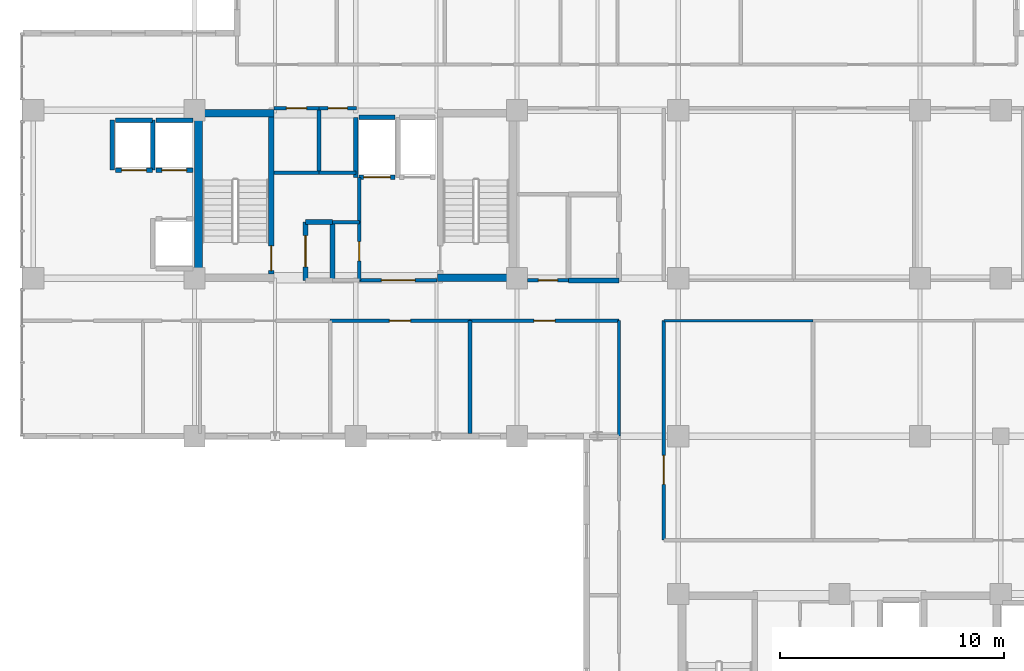
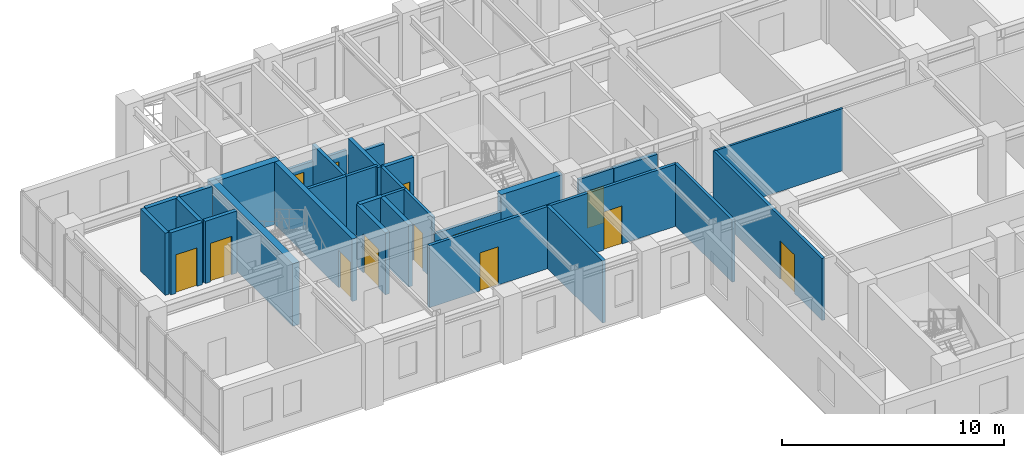
# One storey, part 13 of 20: 33 walls, 13 doors, 13 openings.
"""IFC4 building model written with IfcOpenShell, lengths in metres."""

from ifc_helpers import new_model, si_unit, direction, frame, frame_2d, origin, place, context, subcontext, project, spatial, rectangle, extrude, material, layer, layer_set, type_object, element, fill, save


model = new_model("IFC4")

# Units and contexts
model_context = context("Model", 3, precision=1e-05, world=origin(), true_north=direction((0.0, 1.0)))
body_context = subcontext(model_context, "Body", "Model", "MODEL_VIEW")
ifc_project = project(units=[si_unit("LENGTHUNIT", "METRE"), si_unit("AREAUNIT", "SQUARE_METRE"), si_unit("VOLUMEUNIT", "CUBIC_METRE"), si_unit("PLANEANGLEUNIT", "RADIAN"), si_unit("MASSUNIT", "GRAM", prefix="KILO")], contexts=[model_context])

# Site, building, storey
site_placement = place(None, origin())
site = spatial("IfcSite", under=ifc_project, at=site_placement, CompositionType="ELEMENT")
building_placement = place(site_placement, origin())
building = spatial("IfcBuilding", under=site, at=building_placement, Name="Kaliganga Portal Commons", CompositionType="ELEMENT")
storey_placement = place(building_placement, frame((0.0, 0.0, 231.39990234375)))
storey = spatial("IfcBuildingStorey", under=building, at=storey_placement, Name="L59", CompositionType="ELEMENT", Elevation=231.39990234375)

# Walls
ifc_material_1 = material(Name="Concrete C50/60", Category="concrete")
ifc_layer_1 = layer(ifc_material_1, 0.35009765625)
ifc_layer_set_1 = layer_set([ifc_layer_1], Name="Concrete C50/60")
wall_type_1 = type_object("IfcWallType", Name="WL-CORE-350", PredefinedType="SHEAR", material=ifc_layer_set_1)
wall_1_placement = place(storey_placement, frame((14.574951171875, 28.5, 0.0), z_axis=(0.0, 0.0, 1.0), x_axis=(0.0, 1.0, 0.0)))
element("IfcWall", 1, at=wall_1_placement, inside=storey, type_object=wall_type_1, Name="Core A West Shear Wall L59", PredefinedType="SHEAR", context=body_context, shape_type="SweptSolid", body=[
    extrude(rectangle(XDim=7.699951171875, YDim=0.35009765625, at=frame_2d((3.85009765625, 0.0))), origin(), (0.0, 0.0, 1.0), 3.440185546875),
])
for number, where, z_axis, x_axis, name in (
    (2, (25.25, 28.675048828125, 0.0), (0.0, 0.0, 1.0), (1.0, 0.0, 0.0), "Core A S-East Shear Wall L59"),
    (3, (14.75, 36.02490234375, 0.0), (0.0, 0.0, 1.0), (1.0, 0.0, 0.0), "Core A N-West Shear Wall L59"),
):
    element("IfcWall", number, at=place(storey_placement, frame(where, z_axis=z_axis, x_axis=x_axis)), inside=storey, type_object=wall_type_1, Name=name, PredefinedType="SHEAR", context=body_context, shape_type="SweptSolid", body=[
        extrude(rectangle(XDim=3.199951171875, YDim=0.35009765625, at=frame_2d((1.60009765625, 0.0))), origin(), (0.0, 0.0, 1.0), 3.440185546875),
    ])

# Wall, opening, door
ifc_material_2 = material(Name="Fire-Rated Gypsum Board on Steel Stud", Category="steel")
ifc_layer_2 = layer(ifc_material_2, 0.14990234375)
ifc_layer_set_2 = layer_set([ifc_layer_2], Name="Fire-Rated Gypsum Board on Steel Stud")
wall_type_2 = type_object("IfcWallType", Name="WL-PART-CORR-150", PredefinedType="PARTITIONING", material=ifc_layer_set_2)
wall_2_placement = place(storey_placement, frame((35.360107421875, 16.9599609375, 0.0), z_axis=(0.0, 0.0, 1.0), x_axis=(0.0, 1.0, 0.0)))
wall_2 = element("IfcWall", 4, at=wall_2_placement, inside=storey, type_object=wall_type_2, Name="Interior Partition L59-002", PredefinedType="PARTITIONING", context=body_context, shape_type="SweptSolid", body=[
    extrude(rectangle(XDim=9.800048828125, YDim=0.14990234375, at=frame_2d((4.89990234375, 0.0))), origin(), (0.0, 0.0, 1.0), 3.420166015625),
])
opening_1_placement = place(wall_2_placement, frame((2.486083984375, 0.0, 0.0)))
opening_1 = element("IfcOpeningElement", 5, at=opening_1_placement, cuts=wall_2, Name="Opening RD-03", PredefinedType="OPENING", context=body_context, shape_type="SweptSolid", body=[
    extrude(rectangle(XDim=1.300048828125, YDim=2.1201171875, at=frame_2d((0.64990234375, 1.06005859375))), frame((0.0, 0.0849609375, 0.0), z_axis=(0.0, -1.0, 0.0), x_axis=(1.0, 0.0, 0.0)), (0.0, 0.0, 1.0), 0.169921875),
])
ifc_material_3 = material(Name="Glazed Timber Seminar Vision Door", Category="wood")
door_type_1 = type_object("IfcDoorType", Name="DR-STUDY-1300", OperationType="DOUBLE_DOOR_SINGLE_SWING", PredefinedType="DOOR", material=ifc_material_3)
door_1_placement = place(opening_1_placement, origin())
door_1 = element("IfcDoor", 6, at=door_1_placement, inside=storey, type_object=door_type_1, Name="Interior Door L59-BM01", OperationType="DOUBLE_DOOR_SINGLE_SWING", OverallHeight=2.1201171875, OverallWidth=1.300048828125, PredefinedType="DOOR", context=body_context, shape_type="SweptSolid", body=[
    extrude(rectangle(XDim=1.300048828125, YDim=2.1201171875, at=frame_2d((0.64990234375, 1.06005859375))), frame((0.0, 0.02490234375, 0.0), z_axis=(0.0, -1.0, 0.0), x_axis=(1.0, 0.0, 0.0)), (0.0, 0.0, 1.0), 0.050048828125),
])
fill(opening_1, door_1)

wall_3_placement = place(storey_placement, frame((26.699951171875, 26.760009765625, 0.0), z_axis=(0.0, 0.0, 1.0), x_axis=(1.0, 0.0, 0.0)))
wall_3 = element("IfcWall", 7, at=wall_3_placement, inside=storey, type_object=wall_type_2, Name="Interior Partition L59-010", PredefinedType="PARTITIONING", context=body_context, shape_type="SweptSolid", body=[
    extrude(rectangle(XDim=6.66015625, YDim=0.14990234375, at=frame_2d((3.330078125, 0.0))), origin(), (0.0, 0.0, 1.0), 3.420166015625),
])
opening_2_placement = place(wall_3_placement, frame((2.85498046875, 0.0, 0.0)))
opening_2 = element("IfcOpeningElement", 8, at=opening_2_placement, cuts=wall_3, Name="Opening UD-01", PredefinedType="OPENING", context=body_context, shape_type="SweptSolid", body=[
    extrude(rectangle(XDim=0.949951171875, YDim=2.10009765625, at=frame_2d((0.47509765625, 1.050048828125))), frame((0.0, 0.0849609375, 0.0), z_axis=(0.0, -1.0, 0.0), x_axis=(1.0, 0.0, 0.0)), (0.0, 0.0, 1.0), 0.169921875),
])
ifc_material_4 = material(Name="Solid-Core Timber Acoustic Fire Door", Category="wood")
door_type_2 = type_object("IfcDoorType", Name="DR-UNIT-950", OperationType="NOTDEFINED", PredefinedType="DOOR", material=ifc_material_4)
door_2_placement = place(opening_2_placement, origin())
door_2 = element("IfcDoor", 9, at=door_2_placement, inside=storey, type_object=door_type_2, Name="Interior Door L59-AS05", OperationType="SINGLE_SWING_LEFT", OverallHeight=2.10009765625, OverallWidth=0.949951171875, PredefinedType="DOOR", context=body_context, shape_type="SweptSolid", body=[
    extrude(rectangle(XDim=0.949951171875, YDim=2.10009765625, at=frame_2d((0.47509765625, 1.050048828125))), frame((0.0, 0.02490234375, 0.0), z_axis=(0.0, -1.0, 0.0), x_axis=(1.0, 0.0, 0.0)), (0.0, 0.0, 1.0), 0.050048828125),
])
fill(opening_2, door_2)

wall_4_placement = place(storey_placement, frame((20.4599609375, 26.760009765625, 0.0), z_axis=(0.0, 0.0, 1.0), x_axis=(1.0, 0.0, 0.0)))
wall_4 = element("IfcWall", 10, at=wall_4_placement, inside=storey, type_object=wall_type_2, Name="Interior Partition L59-012", PredefinedType="PARTITIONING", context=body_context, shape_type="SweptSolid", body=[
    extrude(rectangle(XDim=6.239990234375, YDim=0.14990234375, at=frame_2d((3.1201171875, 0.0))), origin(), (0.0, 0.0, 1.0), 3.420166015625),
])
opening_3_placement = place(wall_4_placement, frame((2.64501953125, 0.0, 0.0)))
opening_3 = element("IfcOpeningElement", 11, at=opening_3_placement, cuts=wall_4, Name="Opening UD-01", PredefinedType="OPENING", context=body_context, shape_type="SweptSolid", body=[
    extrude(rectangle(XDim=0.949951171875, YDim=2.10009765625, at=frame_2d((0.47509765625, 1.050048828125))), frame((0.0, 0.0849609375, 0.0), z_axis=(0.0, -1.0, 0.0), x_axis=(1.0, 0.0, 0.0)), (0.0, 0.0, 1.0), 0.169921875),
])
door_3_placement = place(opening_3_placement, origin())
door_3 = element("IfcDoor", 12, at=door_3_placement, inside=storey, type_object=door_type_2, Name="Interior Door L59-AS04", OperationType="SINGLE_SWING_LEFT", OverallHeight=2.10009765625, OverallWidth=0.949951171875, PredefinedType="DOOR", context=body_context, shape_type="SweptSolid", body=[
    extrude(rectangle(XDim=0.949951171875, YDim=2.10009765625, at=frame_2d((0.47509765625, 1.050048828125))), frame((0.0, 0.02490234375, 0.0), z_axis=(0.0, -1.0, 0.0), x_axis=(1.0, 0.0, 0.0)), (0.0, 0.0, 1.0), 0.050048828125),
])
fill(opening_3, door_3)

# Wall
wall_5_placement = place(storey_placement, frame((33.360107421875, 21.60009765625, 0.0), z_axis=(0.0, 0.0, 1.0), x_axis=(0.0, 1.0, 0.0)))
element("IfcWall", 13, at=wall_5_placement, inside=storey, type_object=wall_type_2, Name="Interior Partition L59-019", PredefinedType="PARTITIONING", context=body_context, shape_type="SweptSolid", body=[
    extrude(rectangle(XDim=5.159912109375, YDim=0.14990234375, at=frame_2d((2.580078125, 0.0))), origin(), (0.0, 0.0, 1.0), 3.420166015625),
])

# Wall, opening, door
wall_6_placement = place(storey_placement, frame((21.760009765625, 28.56005859375, 0.0), z_axis=(0.0, 0.0, 1.0), x_axis=(0.0, 1.0, 0.0)))
wall_6 = element("IfcWall", 14, at=wall_6_placement, inside=storey, type_object=wall_type_2, Name="Interior Partition L59-028", PredefinedType="PARTITIONING", context=body_context, shape_type="SweptSolid", body=[
    extrude(rectangle(XDim=2.599853515625, YDim=0.14990234375, at=frame_2d((1.2998046875, 0.0))), origin(), (0.0, 0.0, 1.0), 3.420166015625),
])
opening_4_placement = place(wall_6_placement, frame((0.8701171875, 0.0, 0.0)))
opening_4 = element("IfcOpeningElement", 15, at=opening_4_placement, cuts=wall_6, Name="Opening WD-02", PredefinedType="OPENING", context=body_context, shape_type="SweptSolid", body=[
    extrude(rectangle(XDim=0.860107421875, YDim=2.02001953125, at=frame_2d((0.43017578125, 1.010009765625))), frame((0.0, 0.0849609375, 0.0), z_axis=(0.0, -1.0, 0.0), x_axis=(1.0, 0.0, 0.0)), (0.0, 0.0, 1.0), 0.169921875),
])
ifc_material_5 = material(Name="Fire-Rated Utility Closet Door", Category="wood")
door_type_3 = type_object("IfcDoorType", Name="DR-STORE-800", OperationType="NOTDEFINED", PredefinedType="DOOR", material=ifc_material_5)
door_4_placement = place(opening_4_placement, origin())
door_4 = element("IfcDoor", 16, at=door_4_placement, inside=storey, type_object=door_type_3, Name="Interior Door L59-CIN_A2", OperationType="SINGLE_SWING_LEFT", OverallHeight=2.02001953125, OverallWidth=0.860107421875, PredefinedType="DOOR", context=body_context, shape_type="SweptSolid", body=[
    extrude(rectangle(XDim=0.860107421875, YDim=2.02001953125, at=frame_2d((0.43017578125, 1.010009765625))), frame((0.0, 0.02490234375, 0.0), z_axis=(0.0, -1.0, 0.0), x_axis=(1.0, 0.0, 0.0)), (0.0, 0.0, 1.0), 0.050048828125),
])
fill(opening_4, door_4)

wall_7_placement = place(storey_placement, frame((29.27490234375, 28.56005859375, 0.0), z_axis=(0.0, 0.0, 1.0), x_axis=(1.0, 0.0, 0.0)))
wall_7 = element("IfcWall", 17, at=wall_7_placement, inside=storey, type_object=wall_type_2, Name="Interior Partition L59-034", PredefinedType="PARTITIONING", context=body_context, shape_type="SweptSolid", body=[
    extrude(rectangle(XDim=1.8251953125, YDim=0.14990234375, at=frame_2d((0.91259765625, 0.0))), origin(), (0.0, 0.0, 1.0), 2.8701171875),
])
opening_5_placement = place(wall_7_placement, frame((0.482421875, 0.0, 0.0)))
opening_5 = element("IfcOpeningElement", 18, at=opening_5_placement, cuts=wall_7, Name="Opening WD-02", PredefinedType="OPENING", context=body_context, shape_type="SweptSolid", body=[
    extrude(rectangle(XDim=0.860107421875, YDim=2.02001953125, at=frame_2d((0.43017578125, 1.010009765625))), frame((0.0, 0.0849609375, 0.0), z_axis=(0.0, -1.0, 0.0), x_axis=(1.0, 0.0, 0.0)), (0.0, 0.0, 1.0), 0.169921875),
])
door_5_placement = place(opening_5_placement, origin())
door_5 = element("IfcDoor", 19, at=door_5_placement, inside=storey, type_object=door_type_3, Name="Interior Door L59-CSRV_A1", OperationType="SINGLE_SWING_RIGHT", OverallHeight=2.02001953125, OverallWidth=0.860107421875, PredefinedType="DOOR", context=body_context, shape_type="SweptSolid", body=[
    extrude(rectangle(XDim=0.860107421875, YDim=2.02001953125, at=frame_2d((0.43017578125, 1.010009765625))), frame((0.0, 0.02490234375, 0.0), z_axis=(0.0, -1.0, 0.0), x_axis=(1.0, 0.0, 0.0)), (0.0, 0.0, 1.0), 0.050048828125),
])
fill(opening_5, door_5)

# Wall
wall_8_placement = place(storey_placement, frame((17.9599609375, 33.360107421875, 0.0), z_axis=(0.0, 0.0, 1.0), x_axis=(1.0, 0.0, 0.0)))
element("IfcWall", 20, at=wall_8_placement, inside=storey, type_object=wall_type_2, Name="Interior Partition L59-036", PredefinedType="PARTITIONING", context=body_context, shape_type="SweptSolid", body=[
    extrude(rectangle(XDim=2.0, YDim=0.14990234375, at=frame_2d((1.0, 0.0))), origin(), (0.0, 0.0, 1.0), 3.420166015625),
])

# Wall, opening, door
wall_9_placement = place(storey_placement, frame((17.9599609375, 36.239990234375, 0.0), z_axis=(0.0, 0.0, 1.0), x_axis=(1.0, 0.0, 0.0)))
wall_9 = element("IfcWall", 21, at=wall_9_placement, inside=storey, type_object=wall_type_2, Name="Interior Partition L59-037", PredefinedType="PARTITIONING", context=body_context, shape_type="SweptSolid", body=[
    extrude(rectangle(XDim=2.0, YDim=0.14990234375, at=frame_2d((1.0, 0.0))), origin(), (0.0, 0.0, 1.0), 2.52001953125),
])
opening_6_placement = place(wall_9_placement, frame((0.550048828125, 0.0, 0.0)))
opening_6 = element("IfcOpeningElement", 22, at=opening_6_placement, cuts=wall_9, Name="Opening RD-01", PredefinedType="OPENING", context=body_context, shape_type="SweptSolid", body=[
    extrude(rectangle(XDim=0.89990234375, YDim=2.080078125, at=frame_2d((0.449951171875, 1.0400390625))), frame((0.0, 0.0849609375, 0.0), z_axis=(0.0, -1.0, 0.0), x_axis=(1.0, 0.0, 0.0)), (0.0, 0.0, 1.0), 0.169921875),
])
ifc_material_6 = material(Name="Engineered Timber Flush Door", Category="wood")
door_type_4 = type_object("IfcDoorType", Name="DR-ROOM-900", OperationType="NOTDEFINED", PredefinedType="DOOR", material=ifc_material_6)
door_6_placement = place(opening_6_placement, origin())
door_6 = element("IfcDoor", 23, at=door_6_placement, inside=storey, type_object=door_type_4, Name="Interior Door L59-CREC_A1", OperationType="SINGLE_SWING_LEFT", OverallHeight=2.080078125, OverallWidth=0.89990234375, PredefinedType="DOOR", context=body_context, shape_type="SweptSolid", body=[
    extrude(rectangle(XDim=0.89990234375, YDim=2.080078125, at=frame_2d((0.449951171875, 1.0400390625))), frame((0.0, 0.02490234375, 0.0), z_axis=(0.0, -1.0, 0.0), x_axis=(1.0, 0.0, 0.0)), (0.0, 0.0, 1.0), 0.050048828125),
])
fill(opening_6, door_6)

# Wall
wall_10_placement = place(storey_placement, frame((19.9599609375, 33.360107421875, 0.0), z_axis=(0.0, 0.0, 1.0), x_axis=(1.0, 0.0, 0.0)))
element("IfcWall", 24, at=wall_10_placement, inside=storey, type_object=wall_type_2, Name="Interior Partition L59-039", PredefinedType="PARTITIONING", context=body_context, shape_type="SweptSolid", body=[
    extrude(rectangle(XDim=1.650146484375, YDim=0.14990234375, at=frame_2d((0.8251953125, 0.0))), origin(), (0.0, 0.0, 1.0), 3.420166015625),
])

# Wall, opening, door
wall_11_placement = place(storey_placement, frame((19.9599609375, 36.239990234375, 0.0), z_axis=(0.0, 0.0, 1.0), x_axis=(1.0, 0.0, 0.0)))
wall_11 = element("IfcWall", 25, at=wall_11_placement, inside=storey, type_object=wall_type_2, Name="Interior Partition L59-040", PredefinedType="PARTITIONING", context=body_context, shape_type="SweptSolid", body=[
    extrude(rectangle(XDim=1.679931640625, YDim=0.14990234375, at=frame_2d((0.83984375, 0.0))), origin(), (0.0, 0.0, 1.0), 2.52001953125),
])
opening_7_placement = place(wall_11_placement, frame((0.409912109375, 0.0, 0.0)))
opening_7 = element("IfcOpeningElement", 26, at=opening_7_placement, cuts=wall_11, Name="Opening WD-02", PredefinedType="OPENING", context=body_context, shape_type="SweptSolid", body=[
    extrude(rectangle(XDim=0.860107421875, YDim=2.02001953125, at=frame_2d((0.43017578125, 1.010009765625))), frame((0.0, 0.0849609375, 0.0), z_axis=(0.0, -1.0, 0.0), x_axis=(1.0, 0.0, 0.0)), (0.0, 0.0, 1.0), 0.169921875),
])
door_7_placement = place(opening_7_placement, origin())
door_7 = element("IfcDoor", 27, at=door_7_placement, inside=storey, type_object=door_type_3, Name="Interior Door L59-CREC_A2", OperationType="SINGLE_SWING_LEFT", OverallHeight=2.02001953125, OverallWidth=0.860107421875, PredefinedType="DOOR", context=body_context, shape_type="SweptSolid", body=[
    extrude(rectangle(XDim=0.860107421875, YDim=2.02001953125, at=frame_2d((0.43017578125, 1.010009765625))), frame((0.0, 0.02490234375, 0.0), z_axis=(0.0, -1.0, 0.0), x_axis=(1.0, 0.0, 0.0)), (0.0, 0.0, 1.0), 0.050048828125),
])
fill(opening_7, door_7)

# Wall
wall_12_placement = place(storey_placement, frame((20.56005859375, 31.159912109375, 0.0), z_axis=(0.0, 0.0, 1.0), x_axis=(1.0, 0.0, 0.0)))
element("IfcWall", 28, at=wall_12_placement, inside=storey, type_object=wall_type_2, Name="Interior Partition L59-042", PredefinedType="PARTITIONING", context=body_context, shape_type="SweptSolid", body=[
    extrude(rectangle(XDim=1.199951171875, YDim=0.14990234375, at=frame_2d((0.60009765625, 0.0))), origin(), (0.0, 0.0, 1.0), 3.420166015625),
])

# Wall, opening, door
wall_13_placement = place(storey_placement, frame((21.760009765625, 28.56005859375, 0.0), z_axis=(0.0, 0.0, 1.0), x_axis=(1.0, 0.0, 0.0)))
wall_13 = element("IfcWall", 29, at=wall_13_placement, inside=storey, type_object=wall_type_2, Name="Interior Partition L59-073", PredefinedType="PARTITIONING", context=body_context, shape_type="SweptSolid", body=[
    extrude(rectangle(XDim=3.47998046875, YDim=0.14990234375, at=frame_2d((1.739990234375, 0.0))), origin(), (0.0, 0.0, 1.0), 2.52001953125),
])
opening_8_placement = place(wall_13_placement, frame((0.989990234375, 0.0, 0.0)))
opening_8 = element("IfcOpeningElement", 30, at=opening_8_placement, cuts=wall_13, Name="Opening FD-01", PredefinedType="OPENING", context=body_context, shape_type="SweptSolid", body=[
    extrude(rectangle(XDim=1.5, YDim=2.10009765625, at=frame_2d((0.75, 1.050048828125))), frame((0.0, 0.0849609375, 0.0), z_axis=(0.0, -1.0, 0.0), x_axis=(1.0, 0.0, 0.0)), (0.0, 0.0, 1.0), 0.169921875),
])
ifc_material_7 = material(Name="Fire-Rated Hardwood and Georgian-Wired Vision Panel", Category="wood")
door_type_5 = type_object("IfcDoorType", Name="DR-LOBBY-1500", OperationType="DOUBLE_DOOR_SINGLE_SWING", PredefinedType="DOOR", material=ifc_material_7)
door_8_placement = place(opening_8_placement, origin())
door_8 = element("IfcDoor", 31, at=door_8_placement, inside=storey, type_object=door_type_5, Name="Interior Door L59-FFLOB_A", OperationType="DOUBLE_DOOR_SINGLE_SWING", OverallHeight=2.10009765625, OverallWidth=1.5, PredefinedType="DOOR", context=body_context, shape_type="SweptSolid", body=[
    extrude(rectangle(XDim=1.5, YDim=2.10009765625, at=frame_2d((0.75, 1.050048828125))), frame((0.0, 0.02490234375, 0.0), z_axis=(0.0, -1.0, 0.0), x_axis=(1.0, 0.0, 0.0)), (0.0, 0.0, 1.0), 0.050048828125),
])
fill(opening_8, door_8)

# Wall
wall_14_placement = place(storey_placement, frame((21.760009765625, 31.159912109375, 0.0), z_axis=(0.0, 0.0, 1.0), x_axis=(0.0, 1.0, 0.0)))
element("IfcWall", 32, at=wall_14_placement, inside=storey, type_object=wall_type_2, Name="Interior Partition L59-081", PredefinedType="PARTITIONING", context=body_context, shape_type="SweptSolid", body=[
    extrude(rectangle(XDim=2.0, YDim=0.14990234375, at=frame_2d((1.0, 0.0))), origin(), (0.0, 0.0, 1.0), 3.420166015625),
])

# Wall, opening, door
ifc_material_8 = material(Name="Lightweight blockwork masonry", Category="masonry")
ifc_layer_3 = layer(ifc_material_8, 0.215087890625)
ifc_layer_set_3 = layer_set([ifc_layer_3], Name="Lightweight blockwork masonry")
wall_type_3 = type_object("IfcWallType", Name="WL-PART-PLANT-215", PredefinedType="PARTITIONING", material=ifc_layer_set_3)
wall_15_placement = place(storey_placement, frame((19.360107421875, 28.56005859375, 0.0), z_axis=(0.0, 0.0, 1.0), x_axis=(0.0, 1.0, 0.0)))
wall_15 = element("IfcWall", 33, at=wall_15_placement, inside=storey, type_object=wall_type_3, Name="Interior Partition L59-027", PredefinedType="PARTITIONING", context=body_context, shape_type="SweptSolid", body=[
    extrude(rectangle(XDim=2.599853515625, YDim=0.215087890625, at=frame_2d((1.2998046875, 0.0))), origin(), (0.0, 0.0, 1.0), 3.420166015625),
])
opening_9_placement = place(wall_15_placement, frame((0.60009765625, 0.0, 0.0)))
opening_9 = element("IfcOpeningElement", 34, at=opening_9_placement, cuts=wall_15, Name="Opening PD-01", PredefinedType="OPENING", context=body_context, shape_type="SweptSolid", body=[
    extrude(rectangle(XDim=1.39990234375, YDim=2.14990234375, at=frame_2d((0.699951171875, 1.074951171875))), frame((0.0, 0.11767578125, 0.0), z_axis=(0.0, -1.0, 0.0), x_axis=(1.0, 0.0, 0.0)), (0.0, 0.0, 1.0), 0.235107421875),
])
ifc_material_9 = material(Name="Heavy-Duty Steel Acoustic Louvre Fire Door", Category="steel")
door_type_6 = type_object("IfcDoorType", Name="DR-PLANT-1400", OperationType="DOUBLE_DOOR_SINGLE_SWING", PredefinedType="DOOR", material=ifc_material_9)
door_9_placement = place(opening_9_placement, origin())
door_9 = element("IfcDoor", 35, at=door_9_placement, inside=storey, type_object=door_type_6, Name="Interior Door L59-CIN_A1", OperationType="DOUBLE_DOOR_SINGLE_SWING", OverallHeight=2.14990234375, OverallWidth=1.39990234375, PredefinedType="DOOR", context=body_context, shape_type="SweptSolid", body=[
    extrude(rectangle(XDim=1.39990234375, YDim=2.14990234375, at=frame_2d((0.699951171875, 1.074951171875))), frame((0.0, 0.02490234375, 0.0), z_axis=(0.0, -1.0, 0.0), x_axis=(1.0, 0.0, 0.0)), (0.0, 0.0, 1.0), 0.050048828125),
])
fill(opening_9, door_9)

# Walls
wall_16_placement = place(storey_placement, frame((31.10009765625, 28.56005859375, 0.0), z_axis=(0.0, 0.0, 1.0), x_axis=(1.0, 0.0, 0.0)))
element("IfcWall", 36, at=wall_16_placement, inside=storey, type_object=wall_type_3, Name="Interior Partition L59-035", PredefinedType="PARTITIONING", context=body_context, shape_type="SweptSolid", body=[
    extrude(rectangle(XDim=2.260009765625, YDim=0.215087890625, at=frame_2d((1.1298828125, 0.0))), origin(), (0.0, 0.0, 1.0), 2.8701171875),
])
wall_17_placement = place(storey_placement, frame((19.360107421875, 31.159912109375, 0.0), z_axis=(0.0, 0.0, 1.0), x_axis=(1.0, 0.0, 0.0)))
element("IfcWall", 37, at=wall_17_placement, inside=storey, type_object=wall_type_3, Name="Interior Partition L59-044", PredefinedType="PARTITIONING", context=body_context, shape_type="SweptSolid", body=[
    extrude(rectangle(XDim=1.199951171875, YDim=0.215087890625, at=frame_2d((0.60009765625, 0.0))), origin(), (0.0, 0.0, 1.0), 3.420166015625),
])
wall_18_placement = place(storey_placement, frame((20.56005859375, 28.56005859375, 0.0), z_axis=(0.0, 0.0, 1.0), x_axis=(0.0, 1.0, 0.0)))
element("IfcWall", 38, at=wall_18_placement, inside=storey, type_object=wall_type_3, Name="Interior Partition L59-075", PredefinedType="PARTITIONING", context=body_context, shape_type="SweptSolid", body=[
    extrude(rectangle(XDim=2.599853515625, YDim=0.215087890625, at=frame_2d((1.2998046875, 0.0))), origin(), (0.0, 0.0, 1.0), 3.420166015625),
])
ifc_material_10 = material(Name="Moisture-Resistant Gypsum Partition", Category="gypsum")
ifc_layer_4 = layer(ifc_material_10, 0.114990234375)
ifc_layer_set_4 = layer_set([ifc_layer_4], Name="Moisture-Resistant Gypsum Partition")
wall_type_4 = type_object("IfcWallType", Name="WL-PART-ROOM-115", PredefinedType="PARTITIONING", material=ifc_layer_set_4)
wall_19_placement = place(storey_placement, frame((35.360107421875, 26.760009765625, 0.0), z_axis=(0.0, 0.0, 1.0), x_axis=(1.0, 0.0, 0.0)))
element("IfcWall", 39, at=wall_19_placement, inside=storey, type_object=wall_type_4, Name="Interior Partition L59-055", PredefinedType="PARTITIONING", context=body_context, shape_type="SweptSolid", body=[
    extrude(rectangle(XDim=6.659912109375, YDim=0.114990234375, at=frame_2d((3.330078125, 0.0))), origin(), (0.0, 0.0, 1.0), 3.420166015625),
])
ifc_material_11 = material(Name="Twin-Stud Acoustic Gypsum Partition", Category="gypsum")
ifc_layer_5 = layer(ifc_material_11, 0.1650390625)
ifc_layer_set_5 = layer_set([ifc_layer_5], Name="Twin-Stud Acoustic Gypsum Partition")
wall_type_5 = type_object("IfcWallType", Name="WL-PART-UNIT-165", PredefinedType="PARTITIONING", material=ifc_layer_set_5)
wall_20_placement = place(storey_placement, frame((26.699951171875, 21.73193359375, 0.0), z_axis=(0.0, 0.0, 1.0), x_axis=(0.0, 1.0, 0.0)))
element("IfcWall", 40, at=wall_20_placement, inside=storey, type_object=wall_type_5, Name="Interior Partition L59-061", PredefinedType="PARTITIONING", context=body_context, shape_type="SweptSolid", body=[
    extrude(rectangle(XDim=5.028076171875, YDim=0.1650390625, at=frame_2d((2.51416015625, 0.0))), origin(), (0.0, 0.0, 1.0), 3.420166015625),
])
wall_21_placement = place(storey_placement, frame((19.9599609375, 33.360107421875, 0.0), z_axis=(0.0, 0.0, 1.0), x_axis=(0.0, 1.0, 0.0)))
element("IfcWall", 41, at=wall_21_placement, inside=storey, type_object=wall_type_5, Name="Interior Partition L59-074", PredefinedType="PARTITIONING", context=body_context, shape_type="SweptSolid", body=[
    extrude(rectangle(XDim=2.8798828125, YDim=0.1650390625, at=frame_2d((1.43994140625, 0.0))), origin(), (0.0, 0.0, 1.0), 3.420166015625),
])

# Wall, opening, door
ifc_material_12 = material(Name="Fire-Rated Shaftwall Masonry Assembly", Category="masonry")
ifc_layer_6 = layer(ifc_material_12, 0.199951171875)
ifc_layer_set_6 = layer_set([ifc_layer_6], Name="Fire-Rated Shaftwall Masonry Assembly")
wall_type_6 = type_object("IfcWallType", Name="WL-SHAFT-200", PredefinedType="PARTITIONING", material=ifc_layer_set_6)
wall_22_placement = place(storey_placement, frame((12.675048828125, 33.485107421875, 0.0), z_axis=(0.0, 0.0, 1.0), x_axis=(1.0, 0.0, 0.0)))
wall_22 = element("IfcWall", 42, at=wall_22_placement, inside=storey, type_object=wall_type_6, Name="Lift PL-A3 Hoistway Shaft Wall L59-S", PredefinedType="PARTITIONING", context=body_context, shape_type="SweptSolid", body=[
    extrude(rectangle(XDim=1.64990234375, YDim=0.199951171875, at=frame_2d((0.824951171875, 0.0))), origin(), (0.0, 0.0, 1.0), 3.420166015625),
])
opening_10_placement = place(wall_22_placement, frame((0.27490234375, 0.0, 0.0)))
opening_10 = element("IfcOpeningElement", 43, at=opening_10_placement, cuts=wall_22, Name="Opening LD-01", PredefinedType="OPENING", context=body_context, shape_type="SweptSolid", body=[
    extrude(rectangle(XDim=1.10009765625, YDim=2.1201171875, at=frame_2d((0.550048828125, 1.06005859375))), frame((0.0, 0.10986328125, 0.0), z_axis=(0.0, -1.0, 0.0), x_axis=(1.0, 0.0, 0.0)), (0.0, 0.0, 1.0), 0.219970703125),
])
ifc_material_13 = material(Name="Brushed Stainless Steel 316 Lift Landing Door", Category="steel")
door_type_7 = type_object("IfcDoorType", Name="DR-LIFT-1100", OperationType="SLIDING_TO_LEFT", PredefinedType="DOOR", material=ifc_material_13)
door_10_placement = place(opening_10_placement, origin())
door_10 = element("IfcDoor", 44, at=door_10_placement, inside=storey, type_object=door_type_7, Name="Lift PL-A3 Sliding Landing Door L59", OperationType="SLIDING_TO_LEFT", OverallHeight=2.1201171875, OverallWidth=1.10009765625, PredefinedType="DOOR", context=body_context, shape_type="SweptSolid", body=[
    extrude(rectangle(XDim=1.10009765625, YDim=2.1201171875, at=frame_2d((0.550048828125, 1.06005859375))), frame((0.0, 0.02490234375, 0.0), z_axis=(0.0, -1.0, 0.0), x_axis=(1.0, 0.0, 0.0)), (0.0, 0.0, 1.0), 0.050048828125),
])
fill(opening_10, door_10)

# Walls
wall_23_placement = place(storey_placement, frame((12.675048828125, 35.715087890625, 0.0), z_axis=(0.0, 0.0, 1.0), x_axis=(1.0, 0.0, 0.0)))
element("IfcWall", 45, at=wall_23_placement, inside=storey, type_object=wall_type_6, Name="Lift PL-A3 Hoistway Shaft Wall L59-N", PredefinedType="PARTITIONING", context=body_context, shape_type="SweptSolid", body=[
    extrude(rectangle(XDim=1.64990234375, YDim=0.199951171875, at=frame_2d((0.824951171875, 0.0))), origin(), (0.0, 0.0, 1.0), 3.420166015625),
])
wall_24_placement = place(storey_placement, frame((12.534912109375, 33.485107421875, 0.0), z_axis=(0.0, 0.0, 1.0), x_axis=(0.0, 1.0, 0.0)))
element("IfcWall", 46, at=wall_24_placement, inside=storey, type_object=wall_type_6, Name="Lift PL-A3 Hoistway Shaft Wall L59-W", PredefinedType="PARTITIONING", context=body_context, shape_type="SweptSolid", body=[
    extrude(rectangle(XDim=2.22998046875, YDim=0.199951171875, at=frame_2d((1.114990234375, 0.0))), origin(), (0.0, 0.0, 1.0), 3.420166015625),
])

# Wall, opening, door
wall_25_placement = place(storey_placement, frame((10.875, 33.485107421875, 0.0), z_axis=(0.0, 0.0, 1.0), x_axis=(1.0, 0.0, 0.0)))
wall_25 = element("IfcWall", 47, at=wall_25_placement, inside=storey, type_object=wall_type_6, Name="Lift PL-OBS Hoistway Shaft Wall L59-S", PredefinedType="PARTITIONING", context=body_context, shape_type="SweptSolid", body=[
    extrude(rectangle(XDim=1.64990234375, YDim=0.199951171875, at=frame_2d((0.824951171875, 0.0))), origin(), (0.0, 0.0, 1.0), 3.420166015625),
])
opening_11_placement = place(wall_25_placement, frame((0.27490234375, 0.0, 0.0)))
opening_11 = element("IfcOpeningElement", 48, at=opening_11_placement, cuts=wall_25, Name="Opening LD-01", PredefinedType="OPENING", context=body_context, shape_type="SweptSolid", body=[
    extrude(rectangle(XDim=1.10009765625, YDim=2.1201171875, at=frame_2d((0.550048828125, 1.06005859375))), frame((0.0, 0.10986328125, 0.0), z_axis=(0.0, -1.0, 0.0), x_axis=(1.0, 0.0, 0.0)), (0.0, 0.0, 1.0), 0.219970703125),
])
door_11_placement = place(opening_11_placement, origin())
door_11 = element("IfcDoor", 49, at=door_11_placement, inside=storey, type_object=door_type_7, Name="Lift PL-OBS Sliding Landing Door L59", OperationType="SLIDING_TO_LEFT", OverallHeight=2.1201171875, OverallWidth=1.10009765625, PredefinedType="DOOR", context=body_context, shape_type="SweptSolid", body=[
    extrude(rectangle(XDim=1.10009765625, YDim=2.1201171875, at=frame_2d((0.550048828125, 1.06005859375))), frame((0.0, 0.02490234375, 0.0), z_axis=(0.0, -1.0, 0.0), x_axis=(1.0, 0.0, 0.0)), (0.0, 0.0, 1.0), 0.050048828125),
])
fill(opening_11, door_11)

# Walls
wall_26_placement = place(storey_placement, frame((10.875, 35.715087890625, 0.0), z_axis=(0.0, 0.0, 1.0), x_axis=(1.0, 0.0, 0.0)))
element("IfcWall", 50, at=wall_26_placement, inside=storey, type_object=wall_type_6, Name="Lift PL-OBS Hoistway Shaft Wall L59-N", PredefinedType="PARTITIONING", context=body_context, shape_type="SweptSolid", body=[
    extrude(rectangle(XDim=1.64990234375, YDim=0.199951171875, at=frame_2d((0.824951171875, 0.0))), origin(), (0.0, 0.0, 1.0), 3.420166015625),
])
wall_27_placement = place(storey_placement, frame((10.735107421875, 33.485107421875, 0.0), z_axis=(0.0, 0.0, 1.0), x_axis=(0.0, 1.0, 0.0)))
element("IfcWall", 51, at=wall_27_placement, inside=storey, type_object=wall_type_6, Name="Lift PL-OBS Hoistway Shaft Wall L59-W", PredefinedType="PARTITIONING", context=body_context, shape_type="SweptSolid", body=[
    extrude(rectangle(XDim=2.22998046875, YDim=0.199951171875, at=frame_2d((1.114990234375, 0.0))), origin(), (0.0, 0.0, 1.0), 3.420166015625),
])

# Wall, opening, door
wall_28_placement = place(storey_placement, frame((21.75, 33.159912109375, 0.0), z_axis=(0.0, 0.0, 1.0), x_axis=(1.0, 0.0, 0.0)))
wall_28 = element("IfcWall", 52, at=wall_28_placement, inside=storey, type_object=wall_type_6, Name="Lift FFL-1 Hoistway Shaft Wall L59-S", PredefinedType="PARTITIONING", context=body_context, shape_type="SweptSolid", body=[
    extrude(rectangle(XDim=1.60009765625, YDim=0.199951171875, at=frame_2d((0.800048828125, 0.0))), origin(), (0.0, 0.0, 1.0), 3.420166015625),
])
opening_12_placement = place(wall_28_placement, frame((0.199951171875, 0.0, 0.0)))
opening_12 = element("IfcOpeningElement", 53, at=opening_12_placement, cuts=wall_28, Name="Opening LD-02", PredefinedType="OPENING", context=body_context, shape_type="SweptSolid", body=[
    extrude(rectangle(XDim=1.199951171875, YDim=2.1201171875, at=frame_2d((0.60009765625, 1.06005859375))), frame((0.0, 0.10986328125, 0.0), z_axis=(0.0, -1.0, 0.0), x_axis=(1.0, 0.0, 0.0)), (0.0, 0.0, 1.0), 0.219970703125),
])
ifc_material_14 = material(Name="Brushed Stainless Steel 316 Stretcher Lift Landing Door", Category="steel")
door_type_8 = type_object("IfcDoorType", Name="DR-LIFT-1200", OperationType="SLIDING_TO_RIGHT", PredefinedType="DOOR", material=ifc_material_14)
door_12_placement = place(opening_12_placement, origin())
door_12 = element("IfcDoor", 54, at=door_12_placement, inside=storey, type_object=door_type_8, Name="Lift FFL-1 Sliding Landing Door L59", OperationType="SLIDING_TO_RIGHT", OverallHeight=2.1201171875, OverallWidth=1.199951171875, PredefinedType="DOOR", context=body_context, shape_type="SweptSolid", body=[
    extrude(rectangle(XDim=1.199951171875, YDim=2.1201171875, at=frame_2d((0.60009765625, 1.06005859375))), frame((0.0, 0.02490234375, 0.0), z_axis=(0.0, -1.0, 0.0), x_axis=(1.0, 0.0, 0.0)), (0.0, 0.0, 1.0), 0.050048828125),
])
fill(opening_12, door_12)

# Walls
wall_29_placement = place(storey_placement, frame((21.75, 35.840087890625, 0.0), z_axis=(0.0, 0.0, 1.0), x_axis=(1.0, 0.0, 0.0)))
element("IfcWall", 55, at=wall_29_placement, inside=storey, type_object=wall_type_6, Name="Lift FFL-1 Hoistway Shaft Wall L59-N", PredefinedType="PARTITIONING", context=body_context, shape_type="SweptSolid", body=[
    extrude(rectangle(XDim=1.60009765625, YDim=0.199951171875, at=frame_2d((0.800048828125, 0.0))), origin(), (0.0, 0.0, 1.0), 2.52001953125),
])
wall_30_placement = place(storey_placement, frame((21.610107421875, 33.159912109375, 0.0), z_axis=(0.0, 0.0, 1.0), x_axis=(0.0, 1.0, 0.0)))
element("IfcWall", 56, at=wall_30_placement, inside=storey, type_object=wall_type_6, Name="Lift FFL-1 Hoistway Shaft Wall L59-W", PredefinedType="PARTITIONING", context=body_context, shape_type="SweptSolid", body=[
    extrude(rectangle(XDim=2.68017578125, YDim=0.199951171875, at=frame_2d((1.340087890625, 0.0))), origin(), (0.0, 0.0, 1.0), 3.420166015625),
])

# Wall, opening, door
ifc_layer_7 = layer(ifc_material_1, 0.25)
ifc_layer_set_7 = layer_set([ifc_layer_7], Name="Concrete C50/60")
wall_type_7 = type_object("IfcWallType", Name="WL-STAIR-250", PredefinedType="SHEAR", material=ifc_layer_set_7)
wall_31_placement = place(storey_placement, frame((17.824951171875, 28.85009765625, 0.0), z_axis=(0.0, 0.0, 1.0), x_axis=(0.0, 1.0, 0.0)))
wall_31 = element("IfcWall", 57, at=wall_31_placement, inside=storey, type_object=wall_type_7, Name="Stair A1 Enclosure Shear Wall L59", PredefinedType="SHEAR", context=body_context, shape_type="SweptSolid", body=[
    extrude(rectangle(XDim=7.0, YDim=0.25, at=frame_2d((3.5, 0.0))), origin(), (0.0, 0.0, 1.0), 3.440185546875),
])
opening_13_placement = place(wall_31_placement, frame((0.14990234375, 0.0, 0.0)))
opening_13 = element("IfcOpeningElement", 58, at=opening_13_placement, cuts=wall_31, Name="Opening SD-01", PredefinedType="OPENING", context=body_context, shape_type="SweptSolid", body=[
    extrude(rectangle(XDim=1.10009765625, YDim=2.080078125, at=frame_2d((0.550048828125, 1.0400390625))), frame((0.0, 0.135009765625, 0.0), z_axis=(0.0, -1.0, 0.0), x_axis=(1.0, 0.0, 0.0)), (0.0, 0.0, 1.0), 0.27001953125),
])
ifc_material_15 = material(Name="Galvanized Steel Fire Door Leaf and Frame", Category="steel")
door_type_9 = type_object("IfcDoorType", Name="DR-STAIR-1100", OperationType="NOTDEFINED", PredefinedType="DOOR", material=ifc_material_15)
door_13_placement = place(opening_13_placement, origin())
door_13 = element("IfcDoor", 59, at=door_13_placement, inside=storey, type_object=door_type_9, Name="Protected Stair ST-A1 Fire Door L59", OperationType="SINGLE_SWING_LEFT", OverallHeight=2.080078125, OverallWidth=1.10009765625, PredefinedType="DOOR", context=body_context, shape_type="SweptSolid", body=[
    extrude(rectangle(XDim=1.10009765625, YDim=2.080078125, at=frame_2d((0.550048828125, 1.0400390625))), frame((0.0, 0.02490234375, 0.0), z_axis=(0.0, -1.0, 0.0), x_axis=(1.0, 0.0, 0.0)), (0.0, 0.0, 1.0), 0.050048828125),
])
fill(opening_13, door_13)

save(model, "model.ifc")
